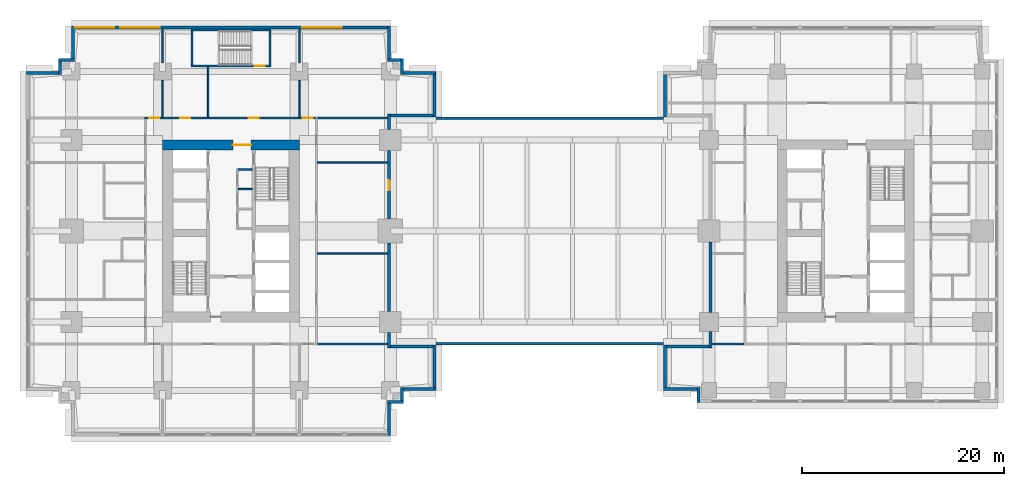
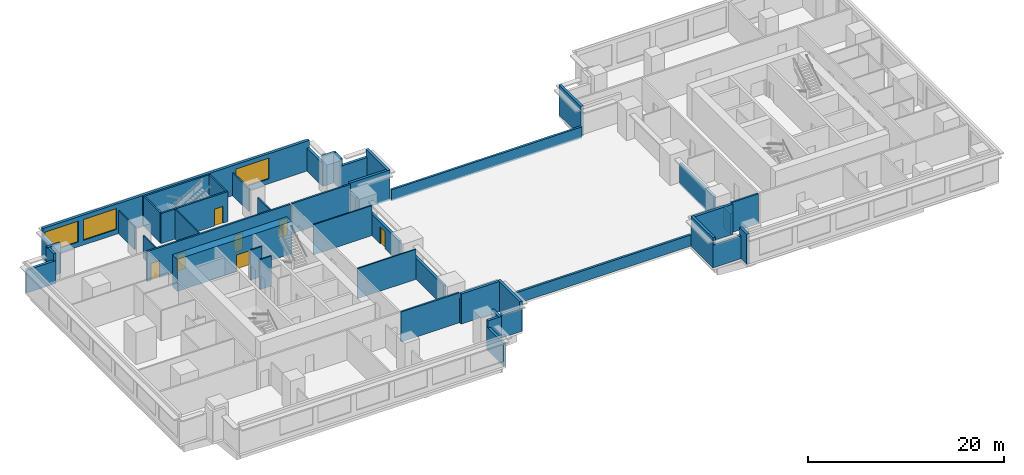
# One storey, part 5 of 10: 48 walls, 7 doors, 3 windows, 10 openings.
"""IFC4 building model written with IfcOpenShell, lengths in metres."""

from ifc_helpers import new_model, si_unit, direction, frame, frame_2d, origin, place, context, subcontext, project, spatial, rectangle, extrude, material, layer, layer_set, type_object, element, fill, save


model = new_model("IFC4")

# Units and contexts
model_context = context("Model", 3, precision=1e-05, world=origin(), true_north=direction((0.0, 1.0)))
body_context = subcontext(model_context, "Body", "Model", "MODEL_VIEW")
ifc_project = project(units=[si_unit("LENGTHUNIT", "METRE"), si_unit("AREAUNIT", "SQUARE_METRE"), si_unit("VOLUMEUNIT", "CUBIC_METRE"), si_unit("PLANEANGLEUNIT", "RADIAN"), si_unit("MASSUNIT", "GRAM", prefix="KILO")], contexts=[model_context])

# Site, building, storey
site_placement = place(None, origin())
site = spatial("IfcSite", under=ifc_project, at=site_placement, CompositionType="ELEMENT")
building_placement = place(site_placement, origin())
building = spatial("IfcBuilding", under=site, at=building_placement, Name="Namib Vertical Campus", CompositionType="ELEMENT")
storey_placement = place(building_placement, frame((0.0, 0.0, 137.0)))
storey = spatial("IfcBuildingStorey", under=building, at=storey_placement, Name="L32", CompositionType="ELEMENT", Elevation=137.0)

# Wall, opening, door
ifc_material_1 = material(Name="Concrete C60/75", Category="concrete")
ifc_layer_1 = layer(ifc_material_1, 1.0)
ifc_layer_set_1 = layer_set([ifc_layer_1], Name="Concrete C60/75")
wall_type_1 = type_object("IfcWallType", Name="Core wall 1000", PredefinedType="SHEAR", material=ifc_layer_set_1)
wall_1_placement = place(storey_placement, frame((27.0, 28.75, 0.0), z_axis=(0.0, 0.0, 1.0), x_axis=(-1.0, 0.0, 0.0)))
wall_1 = element("IfcWall", 1, at=wall_1_placement, inside=storey, type_object=wall_type_1, Name="Core wall A L32 3", PredefinedType="SHEAR", context=body_context, shape_type="SweptSolid", body=[
    extrude(rectangle(XDim=13.5, YDim=1.0, at=frame_2d((6.75, 0.0))), origin(), (0.0, 0.0, 1.0), 4.0),
])
opening_1_placement = place(wall_1_placement, frame((4.75, 0.0, 0.0)))
opening_1 = element("IfcOpeningElement", 2, at=opening_1_placement, cuts=wall_1, Name="Opening FD2", PredefinedType="OPENING", context=body_context, shape_type="SweptSolid", body=[
    extrude(rectangle(XDim=1.800048828125, YDim=2.10009765625, at=frame_2d((0.89990234375, 1.050048828125))), frame((0.0, 0.510009765625, 0.0), z_axis=(0.0, -1.0, 0.0), x_axis=(1.0, 0.0, 0.0)), (0.0, 0.0, 1.0), 1.02001953125),
])
ifc_material_2 = material(Name="Steel fire door", Category="steel")
door_type_1 = type_object("IfcDoorType", Name="Fire door double 1800x2100", OperationType="DOUBLE_DOOR_SINGLE_SWING", PredefinedType="DOOR", material=ifc_material_2)
door_1_placement = place(opening_1_placement, origin())
door_1 = element("IfcDoor", 3, at=door_1_placement, inside=storey, type_object=door_type_1, Name="Lift lobby door FD2 A L32", OperationType="DOUBLE_DOOR_SINGLE_SWING", OverallHeight=2.10009765625, OverallWidth=1.800048828125, PredefinedType="DOOR", context=body_context, shape_type="SweptSolid", body=[
    extrude(rectangle(XDim=1.800048828125, YDim=2.10009765625, at=frame_2d((0.89990234375, 1.050048828125))), frame((0.0, 0.02490234375, 0.0), z_axis=(0.0, -1.0, 0.0), x_axis=(1.0, 0.0, 0.0)), (0.0, 0.0, 1.0), 0.050048828125),
])
fill(opening_1, door_1)

# Wall, openings, doors
ifc_material_3 = material(Name="Concrete masonry", Category="masonry")
ifc_layer_2 = layer(ifc_material_3, 0.199951171875)
ifc_layer_set_2 = layer_set([ifc_layer_2], Name="Corridor wall 200")
wall_type_2 = type_object("IfcWallType", Name="Corridor wall 200", PredefinedType="SOLIDWALL", material=ifc_layer_set_2)
wall_2_placement = place(storey_placement, frame((28.60009765625, 31.39990234375, 0.0), z_axis=(0.0, 0.0, 1.0), x_axis=(-1.0, 0.0, 0.0)))
wall_2 = element("IfcWall", 4, at=wall_2_placement, inside=storey, type_object=wall_type_2, Name="Corridor wall A L32 CN", PredefinedType="SOLIDWALL", context=body_context, shape_type="SweptSolid", body=[
    extrude(rectangle(XDim=16.900146484375, YDim=0.199951171875, at=frame_2d((8.4501953125, 0.0))), origin(), (0.0, 0.0, 1.0), 3.75),
])
opening_2_placement = place(wall_2_placement, frame((15.425048828125, 0.0, 0.0)))
opening_2 = element("IfcOpeningElement", 5, at=opening_2_placement, cuts=wall_2, Name="Opening CD1", PredefinedType="OPENING", context=body_context, shape_type="SweptSolid", body=[
    extrude(rectangle(XDim=1.0, YDim=2.10009765625, at=frame_2d((0.5, 1.050048828125))), frame((0.0, 0.10986328125, 0.0), z_axis=(0.0, -1.0, 0.0), x_axis=(1.0, 0.0, 0.0)), (0.0, 0.0, 1.0), 0.219970703125),
])
opening_3_placement = place(wall_2_placement, frame((12.35009765625, 0.0, 0.0)))
opening_3 = element("IfcOpeningElement", 6, at=opening_3_placement, cuts=wall_2, Name="Opening CD1", PredefinedType="OPENING", context=body_context, shape_type="SweptSolid", body=[
    extrude(rectangle(XDim=1.0, YDim=2.10009765625, at=frame_2d((0.5, 1.050048828125))), frame((0.0, 0.10986328125, 0.0), z_axis=(0.0, -1.0, 0.0), x_axis=(1.0, 0.0, 0.0)), (0.0, 0.0, 1.0), 0.219970703125),
])
opening_4_placement = place(wall_2_placement, frame((5.60009765625, 0.0, 0.0)))
opening_4 = element("IfcOpeningElement", 7, at=opening_4_placement, cuts=wall_2, Name="Opening CD4", PredefinedType="OPENING", context=body_context, shape_type="SweptSolid", body=[
    extrude(rectangle(XDim=1.0, YDim=2.10009765625, at=frame_2d((0.5, 1.050048828125))), frame((0.0, 0.10986328125, 0.0), z_axis=(0.0, -1.0, 0.0), x_axis=(1.0, 0.0, 0.0)), (0.0, 0.0, 1.0), 0.219970703125),
])
opening_5_placement = place(wall_2_placement, frame((0.27490234375, 0.0, 0.0)))
opening_5 = element("IfcOpeningElement", 8, at=opening_5_placement, cuts=wall_2, Name="Opening CD1", PredefinedType="OPENING", context=body_context, shape_type="SweptSolid", body=[
    extrude(rectangle(XDim=1.0, YDim=2.10009765625, at=frame_2d((0.5, 1.050048828125))), frame((0.0, 0.10986328125, 0.0), z_axis=(0.0, -1.0, 0.0), x_axis=(1.0, 0.0, 0.0)), (0.0, 0.0, 1.0), 0.219970703125),
])
ifc_material_4 = material(Name="Timber fire door leaf", Category="wood")
door_type_2 = type_object("IfcDoorType", Name="Corridor door 1000x2100 20 min", OperationType="SINGLE_SWING_LEFT", PredefinedType="DOOR", material=ifc_material_4)
door_2_placement = place(opening_2_placement, frame((1.0, 0.0, 0.0), z_axis=(0.0, 0.0, 1.0), x_axis=(-1.0, 0.0, 0.0)))
door_2 = element("IfcDoor", 9, at=door_2_placement, inside=storey, type_object=door_type_2, Name="Door CD1 A32-08", OperationType="SINGLE_SWING_RIGHT", OverallHeight=2.10009765625, OverallWidth=1.0, PredefinedType="DOOR", context=body_context, shape_type="SweptSolid", body=[
    extrude(rectangle(XDim=1.0, YDim=2.10009765625, at=frame_2d((0.5, 1.050048828125))), frame((0.0, 0.02490234375, 0.0), z_axis=(0.0, -1.0, 0.0), x_axis=(1.0, 0.0, 0.0)), (0.0, 0.0, 1.0), 0.050048828125),
])
fill(opening_2, door_2)
door_3_placement = place(opening_3_placement, frame((1.0, 0.0, 0.0), z_axis=(0.0, 0.0, 1.0), x_axis=(-1.0, 0.0, 0.0)))
door_3 = element("IfcDoor", 10, at=door_3_placement, inside=storey, type_object=door_type_2, Name="Door CD1 A32-09", OperationType="SINGLE_SWING_RIGHT", OverallHeight=2.10009765625, OverallWidth=1.0, PredefinedType="DOOR", context=body_context, shape_type="SweptSolid", body=[
    extrude(rectangle(XDim=1.0, YDim=2.10009765625, at=frame_2d((0.5, 1.050048828125))), frame((0.0, 0.02490234375, 0.0), z_axis=(0.0, -1.0, 0.0), x_axis=(1.0, 0.0, 0.0)), (0.0, 0.0, 1.0), 0.050048828125),
])
fill(opening_3, door_3)
door_4_placement = place(opening_5_placement, frame((1.0, 0.0, 0.0), z_axis=(0.0, 0.0, 1.0), x_axis=(-1.0, 0.0, 0.0)))
door_4 = element("IfcDoor", 11, at=door_4_placement, inside=storey, type_object=door_type_2, Name="Door CD1 A32-11", OperationType="SINGLE_SWING_LEFT", OverallHeight=2.10009765625, OverallWidth=1.0, PredefinedType="DOOR", context=body_context, shape_type="SweptSolid", body=[
    extrude(rectangle(XDim=1.0, YDim=2.10009765625, at=frame_2d((0.5, 1.050048828125))), frame((0.0, 0.02490234375, 0.0), z_axis=(0.0, -1.0, 0.0), x_axis=(1.0, 0.0, 0.0)), (0.0, 0.0, 1.0), 0.050048828125),
])
fill(opening_5, door_4)
ifc_material_5 = material(Name="Timber fire door leaf", Category="wood")
door_type_3 = type_object("IfcDoorType", Name="Corridor door 1000x2100 20 min double-acting", OperationType="DOUBLE_SWING_LEFT", PredefinedType="DOOR", material=ifc_material_5)
door_5_placement = place(opening_4_placement, origin())
door_5 = element("IfcDoor", 12, at=door_5_placement, inside=storey, type_object=door_type_3, Name="Door CD4 A32-10", OperationType="DOUBLE_SWING_LEFT", OverallHeight=2.10009765625, OverallWidth=1.0, PredefinedType="DOOR", context=body_context, shape_type="SweptSolid", body=[
    extrude(rectangle(XDim=1.0, YDim=2.10009765625, at=frame_2d((0.5, 1.050048828125))), frame((0.0, 0.02490234375, 0.0), z_axis=(0.0, -1.0, 0.0), x_axis=(1.0, 0.0, 0.0)), (0.0, 0.0, 1.0), 0.050048828125),
])
fill(opening_4, door_5)

# Walls
for number, where, z_axis, x_axis, name in (
    (13, (28.800048828125, 9.10009765625, 0.0), (0.0, 0.0, 1.0), (1.0, 0.0, 0.0), "Partition A L32 BSE"),
    (14, (28.800048828125, 31.39990234375, 0.0), (0.0, 0.0, 1.0), (1.0, 0.0, 0.0), "Partition A L32 BNE"),
):
    element("IfcWall", number, at=place(storey_placement, frame(where, z_axis=z_axis, x_axis=x_axis)), inside=storey, type_object=wall_type_2, Name=name, PredefinedType="SOLIDWALL", context=body_context, shape_type="SweptSolid", body=[
        extrude(rectangle(XDim=6.89990234375, YDim=0.199951171875, at=frame_2d((3.449951171875, 0.0))), origin(), (0.0, 0.0, 1.0), 3.75),
    ])
wall_3_placement = place(storey_placement, frame((67.800048828125, 9.10009765625, 0.0), z_axis=(0.0, 0.0, 1.0), x_axis=(1.0, 0.0, 0.0)))
element("IfcWall", 15, at=wall_3_placement, inside=storey, type_object=wall_type_2, Name="Partition B L32 BSW", PredefinedType="SOLIDWALL", context=body_context, shape_type="SweptSolid", body=[
    extrude(rectangle(XDim=3.14990234375, YDim=0.199951171875, at=frame_2d((1.574951171875, 0.0))), origin(), (0.0, 0.0, 1.0), 3.75),
])
ifc_material_6 = material(Name="Concrete C40/50", Category="concrete")
ifc_layer_3 = layer(ifc_material_6, 0.300048828125)
ifc_layer_set_3 = layer_set([ifc_layer_3], Name="Concrete C40/50")
wall_type_3 = type_object("IfcWallType", Name="External wall 300 board-marked concrete", PredefinedType="STANDARD", material=ifc_layer_set_3)
wall_4_placement = place(storey_placement, frame((35.85009765625, 0.02001953125, 0.0), z_axis=(0.0, 0.0, 1.0), x_axis=(0.0, 1.0, 0.0)))
element("IfcWall", 16, at=wall_4_placement, inside=storey, type_object=wall_type_3, Name="External wall L32 F03", PredefinedType="STANDARD", context=body_context, shape_type="SweptSolid", body=[
    extrude(rectangle(XDim=3.4599609375, YDim=0.300048828125, at=frame_2d((1.72998046875, 0.0))), origin(), (0.0, 0.0, 1.0), 2.85009765625),
])
for number, where, z_axis, x_axis, name in (
    (17, (35.719970703125, 3.35009765625, 0.0), (0.0, 0.0, 1.0), (1.0, 0.0, 0.0), "External wall L32 F04"),
    (18, (37.14990234375, 3.219970703125, 0.0), (0.0, 0.0, 1.0), (0.0, 1.0, 0.0), "External wall L32 F05"),
):
    element("IfcWall", number, at=place(storey_placement, frame(where, z_axis=z_axis, x_axis=x_axis)), inside=storey, type_object=wall_type_3, Name=name, PredefinedType="STANDARD", context=body_context, shape_type="SweptSolid", body=[
        extrude(rectangle(XDim=1.56005859375, YDim=0.300048828125, at=frame_2d((0.780029296875, 0.0))), origin(), (0.0, 0.0, 1.0), 3.75),
    ])
wall_5_placement = place(storey_placement, frame((37.02001953125, 4.64990234375, 0.0), z_axis=(0.0, 0.0, 1.0), x_axis=(1.0, 0.0, 0.0)))
element("IfcWall", 19, at=wall_5_placement, inside=storey, type_object=wall_type_3, Name="External wall L32 F06", PredefinedType="STANDARD", context=body_context, shape_type="SweptSolid", body=[
    extrude(rectangle(XDim=3.4599609375, YDim=0.300048828125, at=frame_2d((1.72998046875, 0.0))), origin(), (0.0, 0.0, 1.0), 2.85009765625),
])
wall_6_placement = place(storey_placement, frame((40.35009765625, 4.52001953125, 0.0), z_axis=(0.0, 0.0, 1.0), x_axis=(0.0, 1.0, 0.0)))
element("IfcWall", 20, at=wall_6_placement, inside=storey, type_object=wall_type_3, Name="External wall L32 F07", PredefinedType="STANDARD", context=body_context, shape_type="SweptSolid", body=[
    extrude(rectangle(XDim=4.4599609375, YDim=0.300048828125, at=frame_2d((2.22998046875, 0.0))), origin(), (0.0, 0.0, 1.0), 3.75),
])
wall_7_placement = place(storey_placement, frame((40.47998046875, 8.85009765625, 0.0), z_axis=(0.0, 0.0, 1.0), x_axis=(-1.0, 0.0, 0.0)))
element("IfcWall", 21, at=wall_7_placement, inside=storey, type_object=wall_type_3, Name="External wall L32 F08", PredefinedType="STANDARD", context=body_context, shape_type="SweptSolid", body=[
    extrude(rectangle(XDim=4.760009765625, YDim=0.300048828125, at=frame_2d((2.3798828125, 0.0))), origin(), (0.0, 0.0, 1.0), 3.75),
])
wall_8_placement = place(storey_placement, frame((35.85009765625, 8.719970703125, 0.0), z_axis=(0.0, 0.0, 1.0), x_axis=(0.0, 1.0, 0.0)))
element("IfcWall", 22, at=wall_8_placement, inside=storey, type_object=wall_type_3, Name="External wall L32 F09", PredefinedType="STANDARD", context=body_context, shape_type="SweptSolid", body=[
    extrude(rectangle(XDim=1.47998046875, YDim=0.300048828125, at=frame_2d((0.739990234375, 0.0))), origin(), (0.0, 0.0, 1.0), 2.64990234375),
])
wall_9_placement = place(storey_placement, frame((35.85009765625, 12.300048828125, 0.0), z_axis=(0.0, 0.0, 1.0), x_axis=(0.0, 1.0, 0.0)))
element("IfcWall", 23, at=wall_9_placement, inside=storey, type_object=wall_type_3, Name="External wall L32 F09", PredefinedType="STANDARD", context=body_context, shape_type="SweptSolid", body=[
    extrude(rectangle(XDim=6.75, YDim=0.300048828125, at=frame_2d((3.375, 0.0))), origin(), (0.0, 0.0, 1.0), 2.64990234375),
])

# Wall, opening, door
wall_10_placement = place(storey_placement, frame((35.85009765625, 21.449951171875, 0.0), z_axis=(0.0, 0.0, 1.0), x_axis=(0.0, 1.0, 0.0)))
wall_10 = element("IfcWall", 24, at=wall_10_placement, inside=storey, type_object=wall_type_3, Name="External wall L32 F09", PredefinedType="STANDARD", context=body_context, shape_type="SweptSolid", body=[
    extrude(rectangle(XDim=6.75, YDim=0.300048828125, at=frame_2d((3.375, 0.0))), origin(), (0.0, 0.0, 1.0), 2.64990234375),
])
opening_6_placement = place(wall_10_placement, frame((2.800048828125, 0.0, 0.0)))
opening_6 = element("IfcOpeningElement", 25, at=opening_6_placement, cuts=wall_10, Name="Opening MD1", PredefinedType="OPENING", context=body_context, shape_type="SweptSolid", body=[
    extrude(rectangle(XDim=1.0, YDim=2.10009765625, at=frame_2d((0.5, 1.050048828125))), frame((0.0, 0.159912109375, 0.0), z_axis=(0.0, -1.0, 0.0), x_axis=(1.0, 0.0, 0.0)), (0.0, 0.0, 1.0), 0.320068359375),
])
ifc_material_7 = material(Name="Galvanised steel door", Category="steel")
door_type_4 = type_object("IfcDoorType", Name="Maintenance access door 1000x2100", OperationType="SINGLE_SWING_RIGHT", PredefinedType="DOOR", material=ifc_material_7)
door_6_placement = place(opening_6_placement, frame((1.0, 0.0, 0.0), z_axis=(0.0, 0.0, 1.0), x_axis=(-1.0, 0.0, 0.0)))
door_6 = element("IfcDoor", 26, at=door_6_placement, inside=storey, type_object=door_type_4, Name="Maintenance access door MD1 A L32 to the bridge roof", OperationType="SINGLE_SWING_LEFT", OverallHeight=2.10009765625, OverallWidth=1.0, PredefinedType="DOOR", context=body_context, shape_type="SweptSolid", body=[
    extrude(rectangle(XDim=1.0, YDim=2.10009765625, at=frame_2d((0.5, 1.050048828125))), frame((0.0, 0.02490234375, 0.0), z_axis=(0.0, -1.0, 0.0), x_axis=(1.0, 0.0, 0.0)), (0.0, 0.0, 1.0), 0.050048828125),
])
fill(opening_6, door_6)

# Walls
wall_11_placement = place(storey_placement, frame((35.85009765625, 30.300048828125, 0.0), z_axis=(0.0, 0.0, 1.0), x_axis=(0.0, 1.0, 0.0)))
element("IfcWall", 27, at=wall_11_placement, inside=storey, type_object=wall_type_3, Name="External wall L32 F09", PredefinedType="STANDARD", context=body_context, shape_type="SweptSolid", body=[
    extrude(rectangle(XDim=1.47998046875, YDim=0.300048828125, at=frame_2d((0.739990234375, 0.0))), origin(), (0.0, 0.0, 1.0), 2.64990234375),
])
wall_12_placement = place(storey_placement, frame((35.719970703125, 31.64990234375, 0.0), z_axis=(0.0, 0.0, 1.0), x_axis=(1.0, 0.0, 0.0)))
element("IfcWall", 28, at=wall_12_placement, inside=storey, type_object=wall_type_3, Name="External wall L32 F10", PredefinedType="STANDARD", context=body_context, shape_type="SweptSolid", body=[
    extrude(rectangle(XDim=4.760009765625, YDim=0.300048828125, at=frame_2d((2.3798828125, 0.0))), origin(), (0.0, 0.0, 1.0), 3.75),
])
wall_13_placement = place(storey_placement, frame((40.35009765625, 31.52001953125, 0.0), z_axis=(0.0, 0.0, 1.0), x_axis=(0.0, 1.0, 0.0)))
element("IfcWall", 29, at=wall_13_placement, inside=storey, type_object=wall_type_3, Name="External wall L32 F11", PredefinedType="STANDARD", context=body_context, shape_type="SweptSolid", body=[
    extrude(rectangle(XDim=4.4599609375, YDim=0.300048828125, at=frame_2d((2.22998046875, 0.0))), origin(), (0.0, 0.0, 1.0), 3.75),
])
wall_14_placement = place(storey_placement, frame((40.47998046875, 35.85009765625, 0.0), z_axis=(0.0, 0.0, 1.0), x_axis=(-1.0, 0.0, 0.0)))
element("IfcWall", 30, at=wall_14_placement, inside=storey, type_object=wall_type_3, Name="External wall L32 F12", PredefinedType="STANDARD", context=body_context, shape_type="SweptSolid", body=[
    extrude(rectangle(XDim=3.4599609375, YDim=0.300048828125, at=frame_2d((1.72998046875, 0.0))), origin(), (0.0, 0.0, 1.0), 2.85009765625),
])
for number, where, z_axis, x_axis, name in (
    (31, (37.14990234375, 35.719970703125, 0.0), (0.0, 0.0, 1.0), (0.0, 1.0, 0.0), "External wall L32 F13"),
    (32, (37.280029296875, 37.14990234375, 0.0), (0.0, 0.0, 1.0), (-1.0, 0.0, 0.0), "External wall L32 F14"),
):
    element("IfcWall", number, at=place(storey_placement, frame(where, z_axis=z_axis, x_axis=x_axis)), inside=storey, type_object=wall_type_3, Name=name, PredefinedType="STANDARD", context=body_context, shape_type="SweptSolid", body=[
        extrude(rectangle(XDim=1.56005859375, YDim=0.300048828125, at=frame_2d((0.780029296875, 0.0))), origin(), (0.0, 0.0, 1.0), 3.75),
    ])
wall_15_placement = place(storey_placement, frame((35.85009765625, 37.02001953125, 0.0), z_axis=(0.0, 0.0, 1.0), x_axis=(0.0, 1.0, 0.0)))
element("IfcWall", 33, at=wall_15_placement, inside=storey, type_object=wall_type_3, Name="External wall L32 F15", PredefinedType="STANDARD", context=body_context, shape_type="SweptSolid", body=[
    extrude(rectangle(XDim=3.4599609375, YDim=0.300048828125, at=frame_2d((1.72998046875, 0.0))), origin(), (0.0, 0.0, 1.0), 2.85009765625),
])

# Wall, openings, windows
wall_16_placement = place(storey_placement, frame((35.97998046875, 40.35009765625, 0.0), z_axis=(0.0, 0.0, 1.0), x_axis=(-1.0, 0.0, 0.0)))
wall_16 = element("IfcWall", 34, at=wall_16_placement, inside=storey, type_object=wall_type_3, Name="External wall L32 F16", PredefinedType="STANDARD", context=body_context, shape_type="SweptSolid", body=[
    extrude(rectangle(XDim=31.4599609375, YDim=0.300048828125, at=frame_2d((15.72998046875, 0.0))), origin(), (0.0, 0.0, 1.0), 3.75),
])
opening_7_placement = place(wall_16_placement, frame((27.280029296875, 0.0, 0.60009765625)))
opening_7 = element("IfcOpeningElement", 35, at=opening_7_placement, cuts=wall_16, Name="Opening W2", PredefinedType="OPENING", context=body_context, shape_type="SweptSolid", body=[
    extrude(rectangle(XDim=3.89990234375, YDim=2.60009765625, at=frame_2d((1.949951171875, 1.300048828125))), frame((0.0, 0.159912109375, 0.0), z_axis=(0.0, -1.0, 0.0), x_axis=(1.0, 0.0, 0.0)), (0.0, 0.0, 1.0), 0.320068359375),
])
opening_8_placement = place(wall_16_placement, frame((22.780029296875, 0.0, 0.60009765625)))
opening_8 = element("IfcOpeningElement", 36, at=opening_8_placement, cuts=wall_16, Name="Opening W2", PredefinedType="OPENING", context=body_context, shape_type="SweptSolid", body=[
    extrude(rectangle(XDim=3.89990234375, YDim=2.60009765625, at=frame_2d((1.949951171875, 1.300048828125))), frame((0.0, 0.159912109375, 0.0), z_axis=(0.0, -1.0, 0.0), x_axis=(1.0, 0.0, 0.0)), (0.0, 0.0, 1.0), 0.320068359375),
])
opening_9_placement = place(wall_16_placement, frame((4.780029296875, 0.0, 0.60009765625)))
opening_9 = element("IfcOpeningElement", 37, at=opening_9_placement, cuts=wall_16, Name="Opening W2", PredefinedType="OPENING", context=body_context, shape_type="SweptSolid", body=[
    extrude(rectangle(XDim=3.89990234375, YDim=2.60009765625, at=frame_2d((1.949951171875, 1.300048828125))), frame((0.0, 0.159912109375, 0.0), z_axis=(0.0, -1.0, 0.0), x_axis=(1.0, 0.0, 0.0)), (0.0, 0.0, 1.0), 0.320068359375),
])
ifc_material_8 = material(Name="Dark tinted glass in black aluminium frame", Category="aluminium")
window_type = type_object("IfcWindowType", Name="Ribbon window 3900x2600", PartitioningType="SINGLE_PANEL", PredefinedType="WINDOW", material=ifc_material_8)
window_1_placement = place(opening_7_placement, origin())
window_1 = element("IfcWindow", 38, at=window_1_placement, inside=storey, type_object=window_type, Name="Window W2 L32 F16-1", OverallHeight=2.60009765625, OverallWidth=3.89990234375, PartitioningType="SINGLE_PANEL", PredefinedType="WINDOW", context=body_context, shape_type="SweptSolid", body=[
    extrude(rectangle(XDim=3.89990234375, YDim=2.60009765625, at=frame_2d((1.949951171875, 1.300048828125))), frame((0.0, 0.030029296875, 0.0), z_axis=(0.0, -1.0, 0.0), x_axis=(1.0, 0.0, 0.0)), (0.0, 0.0, 1.0), 0.06005859375),
])
fill(opening_7, window_1)
window_2_placement = place(opening_8_placement, origin())
window_2 = element("IfcWindow", 39, at=window_2_placement, inside=storey, type_object=window_type, Name="Window W2 L32 F16-2", OverallHeight=2.60009765625, OverallWidth=3.89990234375, PartitioningType="SINGLE_PANEL", PredefinedType="WINDOW", context=body_context, shape_type="SweptSolid", body=[
    extrude(rectangle(XDim=3.89990234375, YDim=2.60009765625, at=frame_2d((1.949951171875, 1.300048828125))), frame((0.0, 0.030029296875, 0.0), z_axis=(0.0, -1.0, 0.0), x_axis=(1.0, 0.0, 0.0)), (0.0, 0.0, 1.0), 0.06005859375),
])
fill(opening_8, window_2)
window_3_placement = place(opening_9_placement, origin())
window_3 = element("IfcWindow", 40, at=window_3_placement, inside=storey, type_object=window_type, Name="Window W2 L32 F16-6", OverallHeight=2.60009765625, OverallWidth=3.89990234375, PartitioningType="SINGLE_PANEL", PredefinedType="WINDOW", context=body_context, shape_type="SweptSolid", body=[
    extrude(rectangle(XDim=3.89990234375, YDim=2.60009765625, at=frame_2d((1.949951171875, 1.300048828125))), frame((0.0, 0.030029296875, 0.0), z_axis=(0.0, -1.0, 0.0), x_axis=(1.0, 0.0, 0.0)), (0.0, 0.0, 1.0), 0.06005859375),
])
fill(opening_9, window_3)

# Walls
wall_17_placement = place(storey_placement, frame((4.64990234375, 40.47998046875, 0.0), z_axis=(0.0, 0.0, 1.0), x_axis=(0.0, -1.0, 0.0)))
element("IfcWall", 41, at=wall_17_placement, inside=storey, type_object=wall_type_3, Name="External wall L32 F17", PredefinedType="STANDARD", context=body_context, shape_type="SweptSolid", body=[
    extrude(rectangle(XDim=3.4599609375, YDim=0.300048828125, at=frame_2d((1.72998046875, 0.0))), origin(), (0.0, 0.0, 1.0), 2.85009765625),
])
for number, where, z_axis, x_axis, name in (
    (42, (4.780029296875, 37.14990234375, 0.0), (0.0, 0.0, 1.0), (-1.0, 0.0, 0.0), "External wall L32 F18"),
    (43, (3.35009765625, 37.280029296875, 0.0), (0.0, 0.0, 1.0), (0.0, -1.0, 0.0), "External wall L32 F19"),
):
    element("IfcWall", number, at=place(storey_placement, frame(where, z_axis=z_axis, x_axis=x_axis)), inside=storey, type_object=wall_type_3, Name=name, PredefinedType="STANDARD", context=body_context, shape_type="SweptSolid", body=[
        extrude(rectangle(XDim=1.56005859375, YDim=0.300048828125, at=frame_2d((0.780029296875, 0.0))), origin(), (0.0, 0.0, 1.0), 3.75),
    ])
wall_18_placement = place(storey_placement, frame((3.47998046875, 35.85009765625, 0.0), z_axis=(0.0, 0.0, 1.0), x_axis=(-1.0, 0.0, 0.0)))
element("IfcWall", 44, at=wall_18_placement, inside=storey, type_object=wall_type_3, Name="External wall L32 F20", PredefinedType="STANDARD", context=body_context, shape_type="SweptSolid", body=[
    extrude(rectangle(XDim=3.4599609375, YDim=0.300048828125, at=frame_2d((1.72998046875, 0.0))), origin(), (0.0, 0.0, 1.0), 2.85009765625),
])
wall_19_placement = place(storey_placement, frame((63.14990234375, 8.97998046875, 0.0), z_axis=(0.0, 0.0, 1.0), x_axis=(0.0, -1.0, 0.0)))
element("IfcWall", 45, at=wall_19_placement, inside=storey, type_object=wall_type_3, Name="External wall L32 F01", PredefinedType="STANDARD", context=body_context, shape_type="SweptSolid", body=[
    extrude(rectangle(XDim=4.4599609375, YDim=0.300048828125, at=frame_2d((2.22998046875, 0.0))), origin(), (0.0, 0.0, 1.0), 3.75),
])
wall_20_placement = place(storey_placement, frame((63.02001953125, 4.64990234375, 0.0), z_axis=(0.0, 0.0, 1.0), x_axis=(1.0, 0.0, 0.0)))
element("IfcWall", 46, at=wall_20_placement, inside=storey, type_object=wall_type_3, Name="External wall L32 F02", PredefinedType="STANDARD", context=body_context, shape_type="SweptSolid", body=[
    extrude(rectangle(XDim=3.56005859375, YDim=0.300048828125, at=frame_2d((1.780029296875, 0.0))), origin(), (0.0, 0.0, 1.0), 2.85009765625),
])
wall_21_placement = place(storey_placement, frame((66.449951171875, 4.780029296875, 0.0), z_axis=(0.0, 0.0, 1.0), x_axis=(0.0, -1.0, 0.0)))
element("IfcWall", 47, at=wall_21_placement, inside=storey, type_object=wall_type_3, Name="External wall L32 F03", PredefinedType="STANDARD", context=body_context, shape_type="SweptSolid", body=[
    extrude(rectangle(XDim=1.4599609375, YDim=0.300048828125, at=frame_2d((0.72998046875, 0.0))), origin(), (0.0, 0.0, 1.0), 3.75),
])
wall_22_placement = place(storey_placement, frame((63.14990234375, 35.97998046875, 0.0), z_axis=(0.0, 0.0, 1.0), x_axis=(0.0, -1.0, 0.0)))
element("IfcWall", 48, at=wall_22_placement, inside=storey, type_object=wall_type_3, Name="External wall L32 F13", PredefinedType="STANDARD", context=body_context, shape_type="SweptSolid", body=[
    extrude(rectangle(XDim=4.4599609375, YDim=0.300048828125, at=frame_2d((2.22998046875, 0.0))), origin(), (0.0, 0.0, 1.0), 3.75),
])
wall_23_placement = place(storey_placement, frame((67.64990234375, 19.14990234375, 0.0), z_axis=(0.0, 0.0, 1.0), x_axis=(0.0, -1.0, 0.0)))
element("IfcWall", 49, at=wall_23_placement, inside=storey, type_object=wall_type_3, Name="External wall L32 F15", PredefinedType="STANDARD", context=body_context, shape_type="SweptSolid", body=[
    extrude(rectangle(XDim=6.949951171875, YDim=0.300048828125, at=frame_2d((3.47509765625, 0.0))), origin(), (0.0, 0.0, 1.0), 2.64990234375),
])
wall_24_placement = place(storey_placement, frame((67.64990234375, 10.300048828125, 0.0), z_axis=(0.0, 0.0, 1.0), x_axis=(0.0, -1.0, 0.0)))
element("IfcWall", 50, at=wall_24_placement, inside=storey, type_object=wall_type_3, Name="External wall L32 F15", PredefinedType="STANDARD", context=body_context, shape_type="SweptSolid", body=[
    extrude(rectangle(XDim=1.580078125, YDim=0.300048828125, at=frame_2d((0.7900390625, 0.0))), origin(), (0.0, 0.0, 1.0), 2.64990234375),
])
wall_25_placement = place(storey_placement, frame((67.780029296875, 8.85009765625, 0.0), z_axis=(0.0, 0.0, 1.0), x_axis=(-1.0, 0.0, 0.0)))
element("IfcWall", 51, at=wall_25_placement, inside=storey, type_object=wall_type_3, Name="External wall L32 F16", PredefinedType="STANDARD", context=body_context, shape_type="SweptSolid", body=[
    extrude(rectangle(XDim=4.760009765625, YDim=0.300048828125, at=frame_2d((2.3798828125, 0.0))), origin(), (0.0, 0.0, 1.0), 3.75),
])
ifc_material_9 = material(Name="Concrete C40/50", Category="concrete")
ifc_layer_4 = layer(ifc_material_9, 0.25)
ifc_layer_set_4 = layer_set([ifc_layer_4], Name="Concrete C40/50")
wall_type_4 = type_object("IfcWallType", Name="Parapet wall 250", PredefinedType="PARAPET", material=ifc_layer_set_4)
for number, where, z_axis, x_axis, name in (
    (52, (40.5, 9.125, 0.0), (0.0, 0.0, 1.0), (1.0, 0.0, 0.0), "Parapet PW1 bridge roof S"),
    (53, (40.5, 31.375, 0.0), (0.0, 0.0, 1.0), (1.0, 0.0, 0.0), "Parapet PW1 bridge roof N"),
):
    element("IfcWall", number, at=place(storey_placement, frame(where, z_axis=z_axis, x_axis=x_axis)), inside=storey, type_object=wall_type_4, Name=name, PredefinedType="PARAPET", context=body_context, shape_type="SweptSolid", body=[
        extrude(rectangle(XDim=22.5, YDim=0.25, at=frame_2d((11.25, 0.0))), origin(), (0.0, 0.0, 1.0), 1.39990234375),
    ])
ifc_material_10 = material(Name="Gypsum board on steel studs", Category="steel")
ifc_layer_5 = layer(ifc_material_10, 0.14990234375)
ifc_layer_set_5 = layer_set([ifc_layer_5], Name="Gypsum board on steel studs")
wall_type_5 = type_object("IfcWallType", Name="Partition 150", PredefinedType="PARTITIONING", material=ifc_layer_set_5)
for number, where, z_axis, x_axis, name in (
    (54, (20.949951171875, 24.375, 0.0), (0.0, 0.0, 1.0), (1.0, 0.0, 0.0), "Partition A L32 Records store and Cleaners' store and Linen store division 3"),
    (55, (20.949951171875, 26.324951171875, 0.0), (0.0, 0.0, 1.0), (1.0, 0.0, 0.0), "Partition A L32 Records store and Cleaners' store and Linen store end 4"),
):
    element("IfcWall", number, at=place(storey_placement, frame(where, z_axis=z_axis, x_axis=x_axis)), inside=storey, type_object=wall_type_5, Name=name, PredefinedType="PARTITIONING", context=body_context, shape_type="SweptSolid", body=[
        extrude(rectangle(XDim=1.400146484375, YDim=0.14990234375, at=frame_2d((0.7001953125, 0.0))), origin(), (0.0, 0.0, 1.0), 3.75),
    ])
wall_26_placement = place(storey_placement, frame((13.5, 31.5, 0.0), z_axis=(0.0, 0.0, 1.0), x_axis=(0.0, 1.0, 0.0)))
element("IfcWall", 56, at=wall_26_placement, inside=storey, type_object=wall_type_5, Name="Partition A L32 PN1", PredefinedType="PARTITIONING", context=body_context, shape_type="SweptSolid", body=[
    extrude(rectangle(XDim=3.6298828125, YDim=0.14990234375, at=frame_2d((1.81494140625, 0.0))), origin(), (0.0, 0.0, 1.0), 2.85009765625),
])
wall_27_placement = place(storey_placement, frame((13.5, 36.8701171875, 0.0), z_axis=(0.0, 0.0, 1.0), x_axis=(0.0, 1.0, 0.0)))
element("IfcWall", 57, at=wall_27_placement, inside=storey, type_object=wall_type_5, Name="Partition A L32 PN1", PredefinedType="PARTITIONING", context=body_context, shape_type="SweptSolid", body=[
    extrude(rectangle(XDim=3.329833984375, YDim=0.14990234375, at=frame_2d((1.6650390625, 0.0))), origin(), (0.0, 0.0, 1.0), 2.85009765625),
])
wall_28_placement = place(storey_placement, frame((18.0, 31.5, 0.0), z_axis=(0.0, 0.0, 1.0), x_axis=(0.0, 1.0, 0.0)))
element("IfcWall", 58, at=wall_28_placement, inside=storey, type_object=wall_type_5, Name="Partition A L32 PN2", PredefinedType="PARTITIONING", context=body_context, shape_type="SweptSolid", body=[
    extrude(rectangle(XDim=4.949951171875, YDim=0.14990234375, at=frame_2d((2.47509765625, 0.0))), origin(), (0.0, 0.0, 1.0), 3.75),
])
wall_29_placement = place(storey_placement, frame((27.0, 31.5, 0.0), z_axis=(0.0, 0.0, 1.0), x_axis=(0.0, 1.0, 0.0)))
element("IfcWall", 59, at=wall_29_placement, inside=storey, type_object=wall_type_5, Name="Partition A L32 PN3", PredefinedType="PARTITIONING", context=body_context, shape_type="SweptSolid", body=[
    extrude(rectangle(XDim=3.6298828125, YDim=0.14990234375, at=frame_2d((1.81494140625, 0.0))), origin(), (0.0, 0.0, 1.0), 2.85009765625),
])
wall_30_placement = place(storey_placement, frame((27.0, 36.8701171875, 0.0), z_axis=(0.0, 0.0, 1.0), x_axis=(0.0, 1.0, 0.0)))
element("IfcWall", 60, at=wall_30_placement, inside=storey, type_object=wall_type_5, Name="Partition A L32 PN3", PredefinedType="PARTITIONING", context=body_context, shape_type="SweptSolid", body=[
    extrude(rectangle(XDim=3.329833984375, YDim=0.14990234375, at=frame_2d((1.6650390625, 0.0))), origin(), (0.0, 0.0, 1.0), 2.85009765625),
])
for number, where, z_axis, x_axis, name in (
    (61, (28.800048828125, 18.0, 0.0), (0.0, 0.0, 1.0), (1.0, 0.0, 0.0), "Partition A L32 PE1"),
    (62, (28.800048828125, 27.0, 0.0), (0.0, 0.0, 1.0), (1.0, 0.0, 0.0), "Partition A L32 PE2"),
):
    element("IfcWall", number, at=place(storey_placement, frame(where, z_axis=z_axis, x_axis=x_axis)), inside=storey, type_object=wall_type_5, Name=name, PredefinedType="PARTITIONING", context=body_context, shape_type="SweptSolid", body=[
        extrude(rectangle(XDim=6.89990234375, YDim=0.14990234375, at=frame_2d((3.449951171875, 0.0))), origin(), (0.0, 0.0, 1.0), 3.75),
    ])

# Wall, opening, door
ifc_material_11 = material(Name="Concrete C40/50", Category="concrete")
ifc_layer_6 = layer(ifc_material_11, 0.199951171875)
ifc_layer_set_6 = layer_set([ifc_layer_6], Name="Concrete C40/50")
wall_type_6 = type_object("IfcWallType", Name="Stair enclosure wall RC 200", PredefinedType="SOLIDWALL", material=ifc_layer_set_6)
wall_31_placement = place(storey_placement, frame((16.300048828125, 36.550048828125, 0.0), z_axis=(0.0, 0.0, 1.0), x_axis=(1.0, 0.0, 0.0)))
wall_31 = element("IfcWall", 63, at=wall_31_placement, inside=storey, type_object=wall_type_6, Name="Stair enclosure wall A-S3 L32 S", PredefinedType="SOLIDWALL", context=body_context, shape_type="SweptSolid", body=[
    extrude(rectangle(XDim=7.89990234375, YDim=0.199951171875, at=frame_2d((3.949951171875, 0.0))), origin(), (0.0, 0.0, 1.0), 3.75),
])
opening_10_placement = place(wall_31_placement, frame((6.300048828125, 0.0, 0.0)))
opening_10 = element("IfcOpeningElement", 64, at=opening_10_placement, cuts=wall_31, Name="Opening FD1", PredefinedType="OPENING", context=body_context, shape_type="SweptSolid", body=[
    extrude(rectangle(XDim=1.0, YDim=2.10009765625, at=frame_2d((0.5, 1.050048828125))), frame((0.0, 0.10986328125, 0.0), z_axis=(0.0, -1.0, 0.0), x_axis=(1.0, 0.0, 0.0)), (0.0, 0.0, 1.0), 0.219970703125),
])
ifc_material_12 = material(Name="Steel fire door", Category="steel")
door_type_5 = type_object("IfcDoorType", Name="Fire door 1000x2100", OperationType="SINGLE_SWING_RIGHT", PredefinedType="DOOR", material=ifc_material_12)
door_7_placement = place(opening_10_placement, origin())
door_7 = element("IfcDoor", 65, at=door_7_placement, inside=storey, type_object=door_type_5, Name="Stair door FD1 A L32 S3", OperationType="SINGLE_SWING_RIGHT", OverallHeight=2.10009765625, OverallWidth=1.0, PredefinedType="DOOR", context=body_context, shape_type="SweptSolid", body=[
    extrude(rectangle(XDim=1.0, YDim=2.10009765625, at=frame_2d((0.5, 1.050048828125))), frame((0.0, 0.02490234375, 0.0), z_axis=(0.0, -1.0, 0.0), x_axis=(1.0, 0.0, 0.0)), (0.0, 0.0, 1.0), 0.050048828125),
])
fill(opening_10, door_7)

# Walls
wall_32_placement = place(storey_placement, frame((16.300048828125, 40.10009765625, 0.0), z_axis=(0.0, 0.0, 1.0), x_axis=(1.0, 0.0, 0.0)))
element("IfcWall", 66, at=wall_32_placement, inside=storey, type_object=wall_type_6, Name="Stair enclosure wall A-S3 L32 N", PredefinedType="SOLIDWALL", context=body_context, shape_type="SweptSolid", body=[
    extrude(rectangle(XDim=7.89990234375, YDim=0.199951171875, at=frame_2d((3.949951171875, 0.0))), origin(), (0.0, 0.0, 1.0), 3.75),
])
for number, where, z_axis, x_axis, name in (
    (67, (16.39990234375, 36.64990234375, 0.0), (0.0, 0.0, 1.0), (0.0, 1.0, 0.0), "Stair enclosure wall A-S3 L32 W"),
    (68, (24.10009765625, 36.64990234375, 0.0), (0.0, 0.0, 1.0), (0.0, 1.0, 0.0), "Stair enclosure wall A-S3 L32 E"),
):
    element("IfcWall", number, at=place(storey_placement, frame(where, z_axis=z_axis, x_axis=x_axis)), inside=storey, type_object=wall_type_6, Name=name, PredefinedType="SOLIDWALL", context=body_context, shape_type="SweptSolid", body=[
        extrude(rectangle(XDim=3.35009765625, YDim=0.199951171875, at=frame_2d((1.675048828125, 0.0))), origin(), (0.0, 0.0, 1.0), 3.75),
    ])

save(model, "model.ifc")
